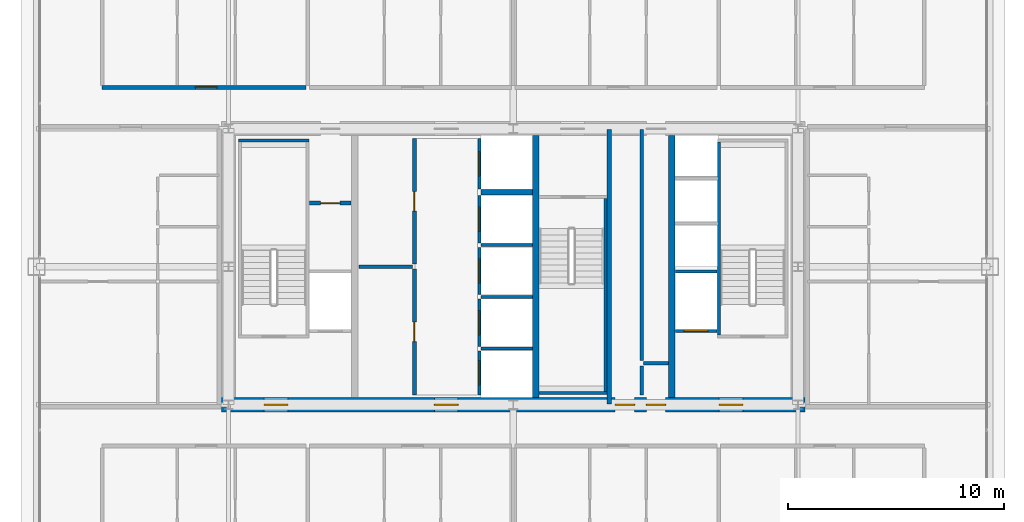
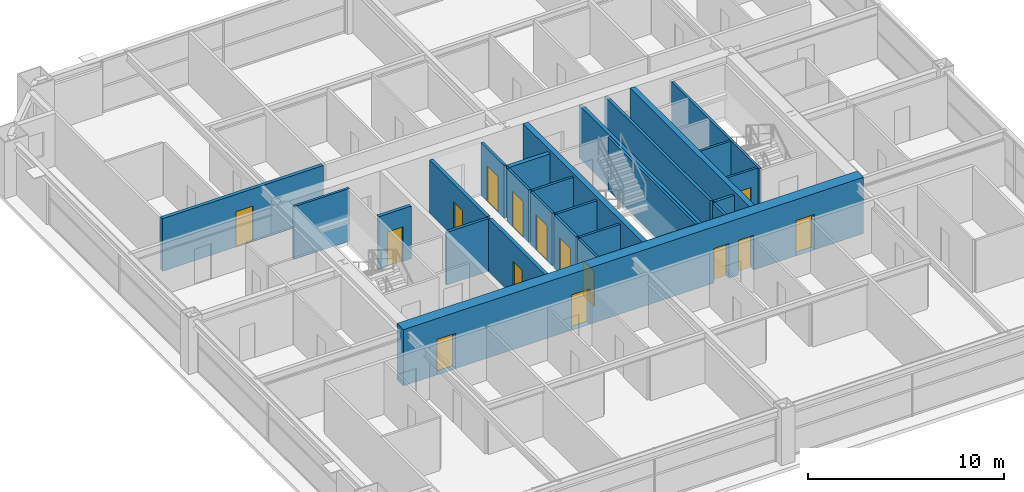
# One storey, part 34 of 38: 27 walls, 15 doors, 15 openings.
"""IFC4 building model written with IfcOpenShell, lengths in metres."""

from ifc_helpers import new_model, si_unit, direction, frame, frame_2d, origin, place, context, subcontext, project, spatial, rectangle, extrude, source, transform, mapped, material, layer, layer_set, type_object, element, fill, save


model = new_model("IFC4")

# Units and contexts
model_context = context("Model", 3, precision=1e-05, world=origin(), true_north=direction((0.0, 1.0)))
body_context = subcontext(model_context, "Body", "Model", "MODEL_VIEW")
ifc_project = project(units=[si_unit("LENGTHUNIT", "METRE"), si_unit("AREAUNIT", "SQUARE_METRE"), si_unit("VOLUMEUNIT", "CUBIC_METRE"), si_unit("PLANEANGLEUNIT", "RADIAN"), si_unit("MASSUNIT", "GRAM", prefix="KILO"), si_unit("THERMODYNAMICTEMPERATUREUNIT", "KELVIN"), si_unit("POWERUNIT", "WATT")], contexts=[model_context])

# Site, building, storey
site_placement = place(None, origin())
site = spatial("IfcSite", under=ifc_project, at=site_placement, CompositionType="ELEMENT")
building_placement = place(site_placement, origin())
building = spatial("IfcBuilding", under=site, at=building_placement, Name="Yuzanri Waterfront Tower", CompositionType="ELEMENT")
storey_placement = place(building_placement, frame((0.0, 0.0, 181.0)))
storey = spatial("IfcBuildingStorey", under=building, at=storey_placement, Name="L47", CompositionType="ELEMENT", Elevation=181.0)

# Wall, openings, doors
ifc_material_1 = material(Name="Concrete C50", Category="concrete")
ifc_layer_1 = layer(ifc_material_1, 0.64990234375)
ifc_layer_set_1 = layer_set([ifc_layer_1], Name="Concrete C50")
wall_type_1 = type_object("IfcWallType", Name="Concrete C50 Mid Zone Core Shear Wall 650", PredefinedType="SHEAR", material=ifc_layer_set_1)
wall_1_placement = place(storey_placement, frame((23.47509765625, 19.39990234375, 0.0), z_axis=(0.0, 0.0, 1.0), x_axis=(1.0, 0.0, 0.0)))
wall_1 = element("IfcWall", 1, at=wall_1_placement, inside=storey, type_object=wall_type_1, Name="L47 Core South Shear Wall", PredefinedType="SHEAR", context=body_context, shape_type="SweptSolid", body=[
    extrude(rectangle(XDim=27.0498046875, YDim=0.64990234375, at=frame_2d((13.52490234375, 0.0))), origin(), (0.0, 0.0, 1.0), 3.5),
])
opening_1_placement = place(wall_1_placement, frame((1.97509765625, 0.0, 0.0)))
opening_1 = element("IfcOpeningElement", 2, at=opening_1_placement, cuts=wall_1, Name="Opening FD-1100", PredefinedType="OPENING", context=body_context, shape_type="SweptSolid", body=[
    extrude(rectangle(XDim=1.10009765625, YDim=2.199951171875, at=frame_2d((0.550048828125, 1.10009765625))), frame((0.0, 0.33984375, 0.0), z_axis=(0.0, -1.0, 0.0), x_axis=(1.0, 0.0, 0.0)), (0.0, 0.0, 1.0), 0.6796875),
])
opening_2_placement = place(wall_1_placement, frame((9.875, 0.0, 0.0)))
opening_2 = element("IfcOpeningElement", 3, at=opening_2_placement, cuts=wall_1, Name="Opening FD-1100", PredefinedType="OPENING", context=body_context, shape_type="SweptSolid", body=[
    extrude(rectangle(XDim=1.10009765625, YDim=2.199951171875, at=frame_2d((0.550048828125, 1.10009765625))), frame((0.0, 0.33984375, 0.0), z_axis=(0.0, -1.0, 0.0), x_axis=(1.0, 0.0, 0.0)), (0.0, 0.0, 1.0), 0.6796875),
])
opening_3_placement = place(wall_1_placement, frame((23.074951171875, 0.0, 0.0)))
opening_3 = element("IfcOpeningElement", 4, at=opening_3_placement, cuts=wall_1, Name="Opening FD-1100", PredefinedType="OPENING", context=body_context, shape_type="SweptSolid", body=[
    extrude(rectangle(XDim=1.10009765625, YDim=2.199951171875, at=frame_2d((0.550048828125, 1.10009765625))), frame((0.0, 0.33984375, 0.0), z_axis=(0.0, -1.0, 0.0), x_axis=(1.0, 0.0, 0.0)), (0.0, 0.0, 1.0), 0.6796875),
])
opening_4_placement = place(wall_1_placement, frame((19.695068359375, 0.0, 0.0)))
opening_4 = element("IfcOpeningElement", 5, at=opening_4_placement, cuts=wall_1, Name="Opening FD-0900", PredefinedType="OPENING", context=body_context, shape_type="SweptSolid", body=[
    extrude(rectangle(XDim=0.89990234375, YDim=2.14990234375, at=frame_2d((0.449951171875, 1.074951171875))), frame((0.0, 0.33984375, 0.0), z_axis=(0.0, -1.0, 0.0), x_axis=(1.0, 0.0, 0.0)), (0.0, 0.0, 1.0), 0.6796875),
])
opening_5_placement = place(wall_1_placement, frame((18.2548828125, 0.0, 0.0)))
opening_5 = element("IfcOpeningElement", 6, at=opening_5_placement, cuts=wall_1, Name="Opening FD-0900", PredefinedType="OPENING", context=body_context, shape_type="SweptSolid", body=[
    extrude(rectangle(XDim=0.89990234375, YDim=2.14990234375, at=frame_2d((0.449951171875, 1.074951171875))), frame((0.0, 0.33984375, 0.0), z_axis=(0.0, -1.0, 0.0), x_axis=(1.0, 0.0, 0.0)), (0.0, 0.0, 1.0), 0.6796875),
])
ifc_material_2 = material(Name="Painted Galvanized Fire Steel", Category="steel")
door_type_1 = type_object("IfcDoorType", Name="Smoke-Proof Stair and Lobby Fire Door 1100x2200", OperationType="NOTDEFINED", PredefinedType="DOOR", material=ifc_material_2)
shared_shape_1 = source(origin(), body_context, "Body", "SweptSolid", [
    extrude(rectangle(XDim=1.10009765625, YDim=2.199951171875, at=frame_2d((0.550048828125, 1.10009765625))), frame((0.0, 0.02490234375, 0.0), z_axis=(0.0, -1.0, 0.0), x_axis=(1.0, 0.0, 0.0)), (0.0, 0.0, 1.0), 0.050048828125),
])
door_1_placement = place(opening_1_placement, origin())
door_1 = element("IfcDoor", 7, at=door_1_placement, inside=storey, type_object=door_type_1, Name="L47 West Firefighting Lobby Door", OperationType="SINGLE_SWING_RIGHT", OverallHeight=2.199951171875, OverallWidth=1.10009765625, PredefinedType="DOOR", context=body_context, shape_type="MappedRepresentation", body=[
    mapped(shared_shape_1, transform((0.0, 0.0, 0.0), scale=1.0)),
])
fill(opening_1, door_1)
door_2_placement = place(opening_2_placement, origin())
door_2 = element("IfcDoor", 8, at=door_2_placement, inside=storey, type_object=door_type_1, Name="L47 Central Lift Lobby South Door", OperationType="SINGLE_SWING_LEFT", OverallHeight=2.199951171875, OverallWidth=1.10009765625, PredefinedType="DOOR", context=body_context, shape_type="MappedRepresentation", body=[
    mapped(shared_shape_1, transform((0.0, 0.0, 0.0), scale=1.0)),
])
fill(opening_2, door_2)
door_3_placement = place(opening_3_placement, origin())
door_3 = element("IfcDoor", 9, at=door_3_placement, inside=storey, type_object=door_type_1, Name="L47 East Firefighting Lobby Door", OperationType="SINGLE_SWING_RIGHT", OverallHeight=2.199951171875, OverallWidth=1.10009765625, PredefinedType="DOOR", context=body_context, shape_type="MappedRepresentation", body=[
    mapped(shared_shape_1, transform((0.0, 0.0, 0.0), scale=1.0)),
])
fill(opening_3, door_3)
ifc_material_3 = material(Name="Painted Galvanized Fire Steel", Category="steel")
door_type_2 = type_object("IfcDoorType", Name="Riser and Service Room Fire Door 900x2150", OperationType="NOTDEFINED", PredefinedType="DOOR", material=ifc_material_3)
shared_shape_2 = source(origin(), body_context, "Body", "SweptSolid", [
    extrude(rectangle(XDim=0.89990234375, YDim=2.14990234375, at=frame_2d((0.449951171875, 1.074951171875))), frame((0.0, 0.02490234375, 0.0), z_axis=(0.0, -1.0, 0.0), x_axis=(1.0, 0.0, 0.0)), (0.0, 0.0, 1.0), 0.050048828125),
])
door_4_placement = place(opening_4_placement, origin())
door_4 = element("IfcDoor", 10, at=door_4_placement, inside=storey, type_object=door_type_2, Name="L47 East Wet Riser Door", OperationType="SINGLE_SWING_LEFT", OverallHeight=2.14990234375, OverallWidth=0.89990234375, PredefinedType="DOOR", context=body_context, shape_type="MappedRepresentation", body=[
    mapped(shared_shape_2, transform((0.0, 0.0, 0.0), scale=1.0)),
])
fill(opening_4, door_4)
door_5_placement = place(opening_5_placement, origin())
door_5 = element("IfcDoor", 11, at=door_5_placement, inside=storey, type_object=door_type_2, Name="L47 Cleaners Store Room", OperationType="SINGLE_SWING_RIGHT", OverallHeight=2.14990234375, OverallWidth=0.89990234375, PredefinedType="DOOR", context=body_context, shape_type="MappedRepresentation", body=[
    mapped(shared_shape_2, transform((0.0, 0.0, 0.0), scale=1.0)),
])
fill(opening_5, door_5)

# Wall, opening, door
ifc_material_4 = material(Name="Concrete C40", Category="concrete")
ifc_layer_2 = layer(ifc_material_4, 0.139892578125)
ifc_layer_set_2 = layer_set([ifc_layer_2], Name="Concrete C40")
wall_type_2 = type_object("IfcWallType", Name="Core Stair Liner and Hoistway Shaft Wall 140", PredefinedType="SOLIDWALL", material=ifc_layer_set_2)
wall_2_placement = place(storey_placement, frame((44.52001953125, 22.830078125, 0.0), z_axis=(0.0, 0.0, 1.0), x_axis=(1.0, 0.0, 0.0)))
wall_2 = element("IfcWall", 12, at=wall_2_placement, inside=storey, type_object=wall_type_2, Name="L47 Lift FL-02 Front Shaft Wall", PredefinedType="SOLIDWALL", context=body_context, shape_type="SweptSolid", body=[
    extrude(rectangle(XDim=1.919921875, YDim=0.139892578125, at=frame_2d((0.9599609375, 0.0))), origin(), (0.0, 0.0, 1.0), 3.280029296875),
])
opening_6_placement = place(wall_2_placement, frame((0.409912109375, 0.0, 0.0)))
opening_6 = element("IfcOpeningElement", 13, at=opening_6_placement, cuts=wall_2, Name="Opening LD-FL-02", PredefinedType="OPENING", context=body_context, shape_type="SweptSolid", body=[
    extrude(rectangle(XDim=1.10009765625, YDim=2.199951171875, at=frame_2d((0.550048828125, 1.10009765625))), frame((0.0, 0.0849609375, 0.0), z_axis=(0.0, -1.0, 0.0), x_axis=(1.0, 0.0, 0.0)), (0.0, 0.0, 1.0), 0.169677734375),
])
ifc_material_5 = material(Name="Brushed Bronze and Stainless Steel Cab", Category="steel")
door_type_3 = type_object("IfcDoorType", Name="Center-Parting Bronze Lift Landing Sliding Door 1100x2200", OperationType="NOTDEFINED", PredefinedType="DOOR", material=ifc_material_5)
shared_shape_3 = source(origin(), body_context, "Body", "SweptSolid", [
    extrude(rectangle(XDim=1.10009765625, YDim=2.199951171875, at=frame_2d((0.550048828125, 1.10009765625))), frame((0.0, 0.02490234375, 0.0), z_axis=(0.0, -1.0, 0.0), x_axis=(1.0, 0.0, 0.0)), (0.0, 0.0, 1.0), 0.050048828125),
])
door_6_placement = place(opening_6_placement, origin())
door_6 = element("IfcDoor", 14, at=door_6_placement, inside=storey, type_object=door_type_3, Name="L47 FL-02 Lift Landing Sliding Door", OperationType="SLIDING_TO_RIGHT", OverallHeight=2.199951171875, OverallWidth=1.10009765625, PredefinedType="DOOR", context=body_context, shape_type="MappedRepresentation", body=[
    mapped(shared_shape_3, transform((0.0, 0.0, 0.0), scale=1.0)),
])
fill(opening_6, door_6)

wall_3_placement = place(storey_placement, frame((35.429931640625, 19.860107421875, 0.0), z_axis=(0.0, 0.0, 1.0), x_axis=(0.0, 1.0, 0.0)))
wall_3 = element("IfcWall", 15, at=wall_3_placement, inside=storey, type_object=wall_type_2, Name="L47 Lift PL-05 Front Shaft Wall", PredefinedType="SOLIDWALL", context=body_context, shape_type="SweptSolid", body=[
    extrude(rectangle(XDim=2.039794921875, YDim=0.139892578125, at=frame_2d((1.02001953125, 0.0))), origin(), (0.0, 0.0, 1.0), 3.280029296875),
])
opening_7_placement = place(wall_3_placement, frame((0.469970703125, 0.0, 0.0)))
opening_7 = element("IfcOpeningElement", 16, at=opening_7_placement, cuts=wall_3, Name="Opening LD-PL-05", PredefinedType="OPENING", context=body_context, shape_type="SweptSolid", body=[
    extrude(rectangle(XDim=1.10009765625, YDim=2.199951171875, at=frame_2d((0.550048828125, 1.10009765625))), frame((0.0, 0.0849609375, 0.0), z_axis=(0.0, -1.0, 0.0), x_axis=(1.0, 0.0, 0.0)), (0.0, 0.0, 1.0), 0.169677734375),
])
door_7_placement = place(opening_7_placement, origin())
door_7 = element("IfcDoor", 17, at=door_7_placement, inside=storey, type_object=door_type_3, Name="L47 PL-05 Lift Landing Sliding Door", OperationType="SLIDING_TO_RIGHT", OverallHeight=2.199951171875, OverallWidth=1.10009765625, PredefinedType="DOOR", context=body_context, shape_type="MappedRepresentation", body=[
    mapped(shared_shape_3, transform((0.0, 0.0, 0.0), scale=1.0)),
])
fill(opening_7, door_7)

wall_4_placement = place(storey_placement, frame((35.429931640625, 22.10009765625, 0.0), z_axis=(0.0, 0.0, 1.0), x_axis=(0.0, 1.0, 0.0)))
wall_4 = element("IfcWall", 18, at=wall_4_placement, inside=storey, type_object=wall_type_2, Name="L47 Lift PL-06 Front Shaft Wall", PredefinedType="SOLIDWALL", context=body_context, shape_type="SweptSolid", body=[
    extrude(rectangle(XDim=2.199951171875, YDim=0.139892578125, at=frame_2d((1.10009765625, 0.0))), origin(), (0.0, 0.0, 1.0), 3.280029296875),
])
opening_8_placement = place(wall_4_placement, frame((0.550048828125, 0.0, 0.0)))
opening_8 = element("IfcOpeningElement", 19, at=opening_8_placement, cuts=wall_4, Name="Opening LD-PL-06", PredefinedType="OPENING", context=body_context, shape_type="SweptSolid", body=[
    extrude(rectangle(XDim=1.10009765625, YDim=2.199951171875, at=frame_2d((0.550048828125, 1.10009765625))), frame((0.0, 0.0849609375, 0.0), z_axis=(0.0, -1.0, 0.0), x_axis=(1.0, 0.0, 0.0)), (0.0, 0.0, 1.0), 0.169677734375),
])
door_8_placement = place(opening_8_placement, origin())
door_8 = element("IfcDoor", 20, at=door_8_placement, inside=storey, type_object=door_type_3, Name="L47 PL-06 Lift Landing Sliding Door", OperationType="SLIDING_TO_LEFT", OverallHeight=2.199951171875, OverallWidth=1.10009765625, PredefinedType="DOOR", context=body_context, shape_type="MappedRepresentation", body=[
    mapped(shared_shape_3, transform((0.0, 0.0, 0.0), scale=1.0)),
])
fill(opening_8, door_8)

wall_5_placement = place(storey_placement, frame((35.429931640625, 24.5, 0.0), z_axis=(0.0, 0.0, 1.0), x_axis=(0.0, 1.0, 0.0)))
wall_5 = element("IfcWall", 21, at=wall_5_placement, inside=storey, type_object=wall_type_2, Name="L47 Lift PL-07 Front Shaft Wall", PredefinedType="SOLIDWALL", context=body_context, shape_type="SweptSolid", body=[
    extrude(rectangle(XDim=2.199951171875, YDim=0.139892578125, at=frame_2d((1.10009765625, 0.0))), origin(), (0.0, 0.0, 1.0), 3.280029296875),
])
opening_9_placement = place(wall_5_placement, frame((0.550048828125, 0.0, 0.0)))
opening_9 = element("IfcOpeningElement", 22, at=opening_9_placement, cuts=wall_5, Name="Opening LD-PL-07", PredefinedType="OPENING", context=body_context, shape_type="SweptSolid", body=[
    extrude(rectangle(XDim=1.10009765625, YDim=2.199951171875, at=frame_2d((0.550048828125, 1.10009765625))), frame((0.0, 0.0849609375, 0.0), z_axis=(0.0, -1.0, 0.0), x_axis=(1.0, 0.0, 0.0)), (0.0, 0.0, 1.0), 0.169677734375),
])
door_9_placement = place(opening_9_placement, origin())
door_9 = element("IfcDoor", 23, at=door_9_placement, inside=storey, type_object=door_type_3, Name="L47 PL-07 Lift Landing Sliding Door", OperationType="SLIDING_TO_RIGHT", OverallHeight=2.199951171875, OverallWidth=1.10009765625, PredefinedType="DOOR", context=body_context, shape_type="MappedRepresentation", body=[
    mapped(shared_shape_3, transform((0.0, 0.0, 0.0), scale=1.0)),
])
fill(opening_9, door_9)

wall_6_placement = place(storey_placement, frame((35.429931640625, 26.89990234375, 0.0), z_axis=(0.0, 0.0, 1.0), x_axis=(0.0, 1.0, 0.0)))
wall_6 = element("IfcWall", 24, at=wall_6_placement, inside=storey, type_object=wall_type_2, Name="L47 Lift PL-08 Front Shaft Wall", PredefinedType="SOLIDWALL", context=body_context, shape_type="SweptSolid", body=[
    extrude(rectangle(XDim=2.2001953125, YDim=0.139892578125, at=frame_2d((1.10009765625, 0.0))), origin(), (0.0, 0.0, 1.0), 3.280029296875),
])
opening_10_placement = place(wall_6_placement, frame((0.550048828125, 0.0, 0.0)))
opening_10 = element("IfcOpeningElement", 25, at=opening_10_placement, cuts=wall_6, Name="Opening LD-PL-08", PredefinedType="OPENING", context=body_context, shape_type="SweptSolid", body=[
    extrude(rectangle(XDim=1.10009765625, YDim=2.199951171875, at=frame_2d((0.550048828125, 1.10009765625))), frame((0.0, 0.0849609375, 0.0), z_axis=(0.0, -1.0, 0.0), x_axis=(1.0, 0.0, 0.0)), (0.0, 0.0, 1.0), 0.169677734375),
])
door_10_placement = place(opening_10_placement, origin())
door_10 = element("IfcDoor", 26, at=door_10_placement, inside=storey, type_object=door_type_3, Name="L47 PL-08 Lift Landing Sliding Door", OperationType="SLIDING_TO_LEFT", OverallHeight=2.199951171875, OverallWidth=1.10009765625, PredefinedType="DOOR", context=body_context, shape_type="MappedRepresentation", body=[
    mapped(shared_shape_3, transform((0.0, 0.0, 0.0), scale=1.0)),
])
fill(opening_10, door_10)

wall_7_placement = place(storey_placement, frame((35.429931640625, 29.39990234375, 0.0), z_axis=(0.0, 0.0, 1.0), x_axis=(0.0, 1.0, 0.0)))
wall_7 = element("IfcWall", 27, at=wall_7_placement, inside=storey, type_object=wall_type_2, Name="L47 Lift SL-02 Front Shaft Wall", PredefinedType="SOLIDWALL", context=body_context, shape_type="SweptSolid", body=[
    extrude(rectangle(XDim=2.340087890625, YDim=0.139892578125, at=frame_2d((1.169921875, 0.0))), origin(), (0.0, 0.0, 1.0), 3.280029296875),
])
opening_11_placement = place(wall_7_placement, frame((0.6201171875, 0.0, 0.0)))
opening_11 = element("IfcOpeningElement", 28, at=opening_11_placement, cuts=wall_7, Name="Opening LD-SL-02", PredefinedType="OPENING", context=body_context, shape_type="SweptSolid", body=[
    extrude(rectangle(XDim=1.10009765625, YDim=2.199951171875, at=frame_2d((0.550048828125, 1.10009765625))), frame((0.0, 0.0849609375, 0.0), z_axis=(0.0, -1.0, 0.0), x_axis=(1.0, 0.0, 0.0)), (0.0, 0.0, 1.0), 0.169677734375),
])
door_11_placement = place(opening_11_placement, origin())
door_11 = element("IfcDoor", 29, at=door_11_placement, inside=storey, type_object=door_type_3, Name="L47 SL-02 Lift Landing Sliding Door", OperationType="SLIDING_TO_RIGHT", OverallHeight=2.199951171875, OverallWidth=1.10009765625, PredefinedType="DOOR", context=body_context, shape_type="MappedRepresentation", body=[
    mapped(shared_shape_3, transform((0.0, 0.0, 0.0), scale=1.0)),
])
fill(opening_11, door_11)

ifc_material_6 = material(Name="Autoclaved Aerated Concrete Blockwork", Category="masonry")
ifc_layer_3 = layer(ifc_material_6, 0.199951171875)
ifc_layer_set_3 = layer_set([ifc_layer_3], Name="Autoclaved Aerated Concrete Blockwork")
wall_type_3 = type_object("IfcWallType", Name="Corridor and Unit Party Fire Wall 200", PredefinedType="PARTITIONING", material=ifc_layer_set_3)
wall_8_placement = place(storey_placement, frame((27.56005859375, 28.75, 0.0), z_axis=(0.0, 0.0, 1.0), x_axis=(1.0, 0.0, 0.0)))
wall_8 = element("IfcWall", 30, at=wall_8_placement, inside=storey, type_object=wall_type_3, Name="L47 Partition CRW-L47-ERTR", PredefinedType="PARTITIONING", context=body_context, shape_type="SweptSolid", body=[
    extrude(rectangle(XDim=1.919921875, YDim=0.199951171875, at=frame_2d((0.9599609375, 0.0))), origin(), (0.0, 0.0, 1.0), 3.280029296875),
])
opening_12_placement = place(wall_8_placement, frame((0.510009765625, 0.0, 0.0)))
opening_12 = element("IfcOpeningElement", 31, at=opening_12_placement, cuts=wall_8, Name="Opening FD-0900", PredefinedType="OPENING", context=body_context, shape_type="SweptSolid", body=[
    extrude(rectangle(XDim=0.89990234375, YDim=2.14990234375, at=frame_2d((0.449951171875, 1.074951171875))), frame((0.0, 0.11474609375, 0.0), z_axis=(0.0, -1.0, 0.0), x_axis=(1.0, 0.0, 0.0)), (0.0, 0.0, 1.0), 0.229736328125),
])
door_12_placement = place(opening_12_placement, origin())
door_12 = element("IfcDoor", 32, at=door_12_placement, inside=storey, type_object=door_type_2, Name="L47 Electrical Riser Door", OperationType="SINGLE_SWING_RIGHT", OverallHeight=2.14990234375, OverallWidth=0.89990234375, PredefinedType="DOOR", context=body_context, shape_type="MappedRepresentation", body=[
    mapped(shared_shape_2, transform((0.0, 0.0, 0.0), scale=1.0)),
])
fill(opening_12, door_12)

wall_9_placement = place(storey_placement, frame((32.419921875, 19.860107421875, 0.0), z_axis=(0.0, 0.0, 1.0), x_axis=(0.0, 1.0, 0.0)))
wall_9 = element("IfcWall", 33, at=wall_9_placement, inside=storey, type_object=wall_type_3, Name="L47 Partition CRW-L47-B1R-1", PredefinedType="PARTITIONING", context=body_context, shape_type="SweptSolid", body=[
    extrude(rectangle(XDim=5.83984375, YDim=0.199951171875, at=frame_2d((2.919921875, 0.0))), origin(), (0.0, 0.0, 1.0), 3.280029296875),
])
opening_13_placement = place(wall_9_placement, frame((2.469970703125, 0.0, 0.0)))
opening_13 = element("IfcOpeningElement", 34, at=opening_13_placement, cuts=wall_9, Name="Opening FD-0900", PredefinedType="OPENING", context=body_context, shape_type="SweptSolid", body=[
    extrude(rectangle(XDim=0.89990234375, YDim=2.14990234375, at=frame_2d((0.449951171875, 1.074951171875))), frame((0.0, 0.11474609375, 0.0), z_axis=(0.0, -1.0, 0.0), x_axis=(1.0, 0.0, 0.0)), (0.0, 0.0, 1.0), 0.229736328125),
])
door_13_placement = place(opening_13_placement, origin())
door_13 = element("IfcDoor", 35, at=door_13_placement, inside=storey, type_object=door_type_2, Name="L47 South Private Store Room", OperationType="SINGLE_SWING_LEFT", OverallHeight=2.14990234375, OverallWidth=0.89990234375, PredefinedType="DOOR", context=body_context, shape_type="MappedRepresentation", body=[
    mapped(shared_shape_2, transform((0.0, 0.0, 0.0), scale=1.0)),
])
fill(opening_13, door_13)

wall_10_placement = place(storey_placement, frame((32.419921875, 25.919921875, 0.0), z_axis=(0.0, 0.0, 1.0), x_axis=(0.0, 1.0, 0.0)))
wall_10 = element("IfcWall", 36, at=wall_10_placement, inside=storey, type_object=wall_type_3, Name="L47 Partition CRW-L47-B1R-2", PredefinedType="PARTITIONING", context=body_context, shape_type="SweptSolid", body=[
    extrude(rectangle(XDim=5.820068359375, YDim=0.199951171875, at=frame_2d((2.91015625, 0.0))), origin(), (0.0, 0.0, 1.0), 3.280029296875),
])
opening_14_placement = place(wall_10_placement, frame((2.4599609375, 0.0, 0.0)))
opening_14 = element("IfcOpeningElement", 37, at=opening_14_placement, cuts=wall_10, Name="Opening FD-0900", PredefinedType="OPENING", context=body_context, shape_type="SweptSolid", body=[
    extrude(rectangle(XDim=0.89990234375, YDim=2.14990234375, at=frame_2d((0.449951171875, 1.074951171875))), frame((0.0, 0.11474609375, 0.0), z_axis=(0.0, -1.0, 0.0), x_axis=(1.0, 0.0, 0.0)), (0.0, 0.0, 1.0), 0.229736328125),
])
door_14_placement = place(opening_14_placement, origin())
door_14 = element("IfcDoor", 38, at=door_14_placement, inside=storey, type_object=door_type_2, Name="L47 North Private Store Room", OperationType="SINGLE_SWING_RIGHT", OverallHeight=2.14990234375, OverallWidth=0.89990234375, PredefinedType="DOOR", context=body_context, shape_type="MappedRepresentation", body=[
    mapped(shared_shape_2, transform((0.0, 0.0, 0.0), scale=1.0)),
])
fill(opening_14, door_14)

wall_11_placement = place(storey_placement, frame((17.93994140625, 34.110107421875, 0.0), z_axis=(0.0, 0.0, 1.0), x_axis=(1.0, 0.0, 0.0)))
wall_11 = element("IfcWall", 39, at=wall_11_placement, inside=storey, type_object=wall_type_3, Name="L47 Partition UW-L47-RN1-CS", PredefinedType="PARTITIONING", context=body_context, shape_type="SweptSolid", body=[
    extrude(rectangle(XDim=9.449951171875, YDim=0.199951171875, at=frame_2d((4.72509765625, 0.0))), origin(), (0.0, 0.0, 1.0), 3.280029296875),
])
opening_15_placement = place(wall_11_placement, frame((4.324951171875, 0.0, 0.0)))
opening_15 = element("IfcOpeningElement", 40, at=opening_15_placement, cuts=wall_11, Name="Opening FD-1000", PredefinedType="OPENING", context=body_context, shape_type="SweptSolid", body=[
    extrude(rectangle(XDim=1.0, YDim=2.199951171875, at=frame_2d((0.5, 1.10009765625))), frame((0.0, 0.11474609375, 0.0), z_axis=(0.0, -1.0, 0.0), x_axis=(1.0, 0.0, 0.0)), (0.0, 0.0, 1.0), 0.229736328125),
])
ifc_material_7 = material(Name="Engineered Oak Fire-Rated Timber", Category="wood")
door_type_4 = type_object("IfcDoorType", Name="Guestroom and Apartment Entrance Fire Door 1000x2200", OperationType="NOTDEFINED", PredefinedType="DOOR", material=ifc_material_7)
shared_shape_4 = source(origin(), body_context, "Body", "SweptSolid", [
    extrude(rectangle(XDim=1.0, YDim=2.199951171875, at=frame_2d((0.5, 1.10009765625))), frame((0.0, 0.02490234375, 0.0), z_axis=(0.0, -1.0, 0.0), x_axis=(1.0, 0.0, 0.0)), (0.0, 0.0, 1.0), 0.050048828125),
])
door_15_placement = place(opening_15_placement, origin())
door_15 = element("IfcDoor", 41, at=door_15_placement, inside=storey, type_object=door_type_4, Name="L47 Studio Living and Sleeping Room Entrance Door", OperationType="SINGLE_SWING_RIGHT", OverallHeight=2.199951171875, OverallWidth=1.0, PredefinedType="DOOR", context=body_context, shape_type="MappedRepresentation", body=[
    mapped(shared_shape_4, transform((0.0, 0.0, 0.0), scale=1.0)),
])
fill(opening_15, door_15)

# Walls
ifc_material_8 = material(Name="Concrete C50", Category="concrete")
ifc_layer_4 = layer(ifc_material_8, 0.300048828125)
ifc_layer_set_4 = layer_set([ifc_layer_4], Name="Concrete C50")
wall_type_4 = type_object("IfcWallType", Name="Concrete C50 Internal Core Shaft Structural Wall 300", PredefinedType="SOLIDWALL", material=ifc_layer_set_4)
shared_shape_5 = source(origin(), body_context, "Body", "SweptSolid", [
    extrude(rectangle(XDim=12.14990234375, YDim=0.300048828125, at=frame_2d((6.074951171875, 0.0))), origin(), (0.0, 0.0, 1.0), 3.5),
])
for number, where, z_axis, x_axis, name in (
    (42, (38.050048828125, 19.72509765625, 0.0), (0.0, 0.0, 1.0), (0.0, 1.0, 0.0), "L47 Core Internal Structural Web Wall 2"),
    (43, (44.35009765625, 19.72509765625, 0.0), (0.0, 0.0, 1.0), (0.0, 1.0, 0.0), "L47 Core Internal Structural Web Wall 3"),
):
    element("IfcWall", number, at=place(storey_placement, frame(where, z_axis=z_axis, x_axis=x_axis)), inside=storey, type_object=wall_type_4, Name=name, PredefinedType="SOLIDWALL", context=body_context, shape_type="MappedRepresentation", body=[
        mapped(shared_shape_5, transform((0.0, 0.0, 0.0), scale=1.0)),
    ])
shared_shape_6 = source(origin(), body_context, "Body", "SweptSolid", [
    extrude(rectangle(XDim=1.919921875, YDim=0.139892578125, at=frame_2d((0.9599609375, 0.0))), origin(), (0.0, 0.0, 1.0), 3.280029296875),
])
wall_12_placement = place(storey_placement, frame((44.52001953125, 25.570068359375, 0.0), z_axis=(0.0, 0.0, 1.0), x_axis=(1.0, 0.0, 0.0)))
element("IfcWall", 44, at=wall_12_placement, inside=storey, type_object=wall_type_2, Name="L47 Lift FL-02 Back Shaft Wall", PredefinedType="SOLIDWALL", context=body_context, shape_type="MappedRepresentation", body=[
    mapped(shared_shape_6, transform((0.0, 0.0, 0.0), scale=1.0)),
])
shared_shape_7 = source(origin(), body_context, "Body", "SweptSolid", [
    extrude(rectangle(XDim=2.39990234375, YDim=0.139892578125, at=frame_2d((1.199951171875, 0.0))), origin(), (0.0, 0.0, 1.0), 3.280029296875),
])
for number, where, z_axis, x_axis, name in (
    (45, (35.5, 22.0, 0.0), (0.0, 0.0, 1.0), (1.0, 0.0, 0.0), "L47 Lift PL-05 Divider Wall"),
    (46, (35.5, 24.39990234375, 0.0), (0.0, 0.0, 1.0), (1.0, 0.0, 0.0), "L47 Lift PL-06 Divider Wall"),
    (47, (35.5, 26.800048828125, 0.0), (0.0, 0.0, 1.0), (1.0, 0.0, 0.0), "L47 Lift PL-07 Divider Wall"),
):
    element("IfcWall", number, at=place(storey_placement, frame(where, z_axis=z_axis, x_axis=x_axis)), inside=storey, type_object=wall_type_2, Name=name, PredefinedType="SOLIDWALL", context=body_context, shape_type="MappedRepresentation", body=[
        mapped(shared_shape_7, transform((0.0, 0.0, 0.0), scale=1.0)),
    ])
ifc_material_9 = material(Name="Concrete C40", Category="concrete")
ifc_layer_5 = layer(ifc_material_9, 0.25)
ifc_layer_set_5 = layer_set([ifc_layer_5], Name="Concrete C40")
wall_type_5 = type_object("IfcWallType", Name="Smoke-Proof Stair and Lift Shaft Wall 250", PredefinedType="SOLIDWALL", material=ifc_layer_set_5)
shared_shape_8 = source(origin(), body_context, "Body", "SweptSolid", [
    extrude(rectangle(XDim=2.39990234375, YDim=0.25, at=frame_2d((1.199951171875, 0.0))), origin(), (0.0, 0.0, 1.0), 3.280029296875),
])
wall_13_placement = place(storey_placement, frame((35.5, 29.25, 0.0), z_axis=(0.0, 0.0, 1.0), x_axis=(1.0, 0.0, 0.0)))
element("IfcWall", 48, at=wall_13_placement, inside=storey, type_object=wall_type_5, Name="L47 Lift SL-02 South Shaft Wall", PredefinedType="SOLIDWALL", context=body_context, shape_type="MappedRepresentation", body=[
    mapped(shared_shape_8, transform((0.0, 0.0, 0.0), scale=1.0)),
])
shared_shape_9 = source(origin(), body_context, "Body", "SweptSolid", [
    extrude(rectangle(XDim=3.280029296875, YDim=0.139892578125, at=frame_2d((1.64013671875, 0.0))), origin(), (0.0, 0.0, 1.0), 3.280029296875),
])
wall_14_placement = place(storey_placement, frame((24.260009765625, 31.64990234375, 0.0), z_axis=(0.0, 0.0, 1.0), x_axis=(1.0, 0.0, 0.0)))
element("IfcWall", 49, at=wall_14_placement, inside=storey, type_object=wall_type_2, Name="L47 Stair ST-01 North Shaft Wall", PredefinedType="SOLIDWALL", context=body_context, shape_type="MappedRepresentation", body=[
    mapped(shared_shape_9, transform((0.0, 0.0, 0.0), scale=1.0)),
])
shared_shape_10 = source(origin(), body_context, "Body", "SweptSolid", [
    extrude(rectangle(XDim=8.940185546875, YDim=0.139892578125, at=frame_2d((4.47021484375, 0.0))), origin(), (0.0, 0.0, 1.0), 3.280029296875),
])
wall_15_placement = place(storey_placement, frame((46.530029296875, 22.639892578125, 0.0), z_axis=(0.0, 0.0, 1.0), x_axis=(0.0, 1.0, 0.0)))
element("IfcWall", 50, at=wall_15_placement, inside=storey, type_object=wall_type_2, Name="L47 Stair ST-02 West Shaft Wall", PredefinedType="SOLIDWALL", context=body_context, shape_type="MappedRepresentation", body=[
    mapped(shared_shape_10, transform((0.0, 0.0, 0.0), scale=1.0)),
])
shared_shape_11 = source(origin(), body_context, "Body", "SweptSolid", [
    extrude(rectangle(XDim=3.14013671875, YDim=0.139892578125, at=frame_2d((1.570068359375, 0.0))), origin(), (0.0, 0.0, 1.0), 3.280029296875),
])
wall_16_placement = place(storey_placement, frame((38.199951171875, 19.949951171875, 0.0), z_axis=(0.0, 0.0, 1.0), x_axis=(1.0, 0.0, 0.0)))
element("IfcWall", 51, at=wall_16_placement, inside=storey, type_object=wall_type_2, Name="L47 Stair ST-03 South Shaft Wall", PredefinedType="SOLIDWALL", context=body_context, shape_type="MappedRepresentation", body=[
    mapped(shared_shape_11, transform((0.0, 0.0, 0.0), scale=1.0)),
])
shared_shape_12 = source(origin(), body_context, "Body", "SweptSolid", [
    extrude(rectangle(XDim=8.93994140625, YDim=0.139892578125, at=frame_2d((4.469970703125, 0.0))), origin(), (0.0, 0.0, 1.0), 3.280029296875),
])
wall_17_placement = place(storey_placement, frame((41.27001953125, 20.02001953125, 0.0), z_axis=(0.0, 0.0, 1.0), x_axis=(0.0, 1.0, 0.0)))
element("IfcWall", 52, at=wall_17_placement, inside=storey, type_object=wall_type_2, Name="L47 Stair ST-03 East Shaft Wall", PredefinedType="SOLIDWALL", context=body_context, shape_type="MappedRepresentation", body=[
    mapped(shared_shape_12, transform((0.0, 0.0, 0.0), scale=1.0)),
])
ifc_material_10 = material(Name="Gypsum Fireboard Acoustic Stud Wall", Category="gypsum")
ifc_layer_6 = layer(ifc_material_10, 0.159912109375)
ifc_layer_set_6 = layer_set([ifc_layer_6], Name="Gypsum Fireboard Acoustic Stud Wall")
wall_type_6 = type_object("IfcWallType", Name="Acoustic Suite Demising Partition 160", PredefinedType="PARTITIONING", material=ifc_layer_set_6)
shared_shape_13 = source(origin(), body_context, "Body", "SweptSolid", [
    extrude(rectangle(XDim=2.469970703125, YDim=0.159912109375, at=frame_2d((1.23486328125, 0.0))), origin(), (0.0, 0.0, 1.0), 3.280029296875),
])
wall_18_placement = place(storey_placement, frame((29.85009765625, 25.800048828125, 0.0), z_axis=(0.0, 0.0, 1.0), x_axis=(1.0, 0.0, 0.0)))
element("IfcWall", 53, at=wall_18_placement, inside=storey, type_object=wall_type_6, Name="L47 Reclaimed Core Divider 2", PredefinedType="PARTITIONING", context=body_context, shape_type="MappedRepresentation", body=[
    mapped(shared_shape_13, transform((0.0, 0.0, 0.0), scale=1.0)),
])
shared_shape_14 = source(origin(), body_context, "Body", "SweptSolid", [
    extrude(rectangle(XDim=1.33984375, YDim=0.159912109375, at=frame_2d((0.669921875, 0.0))), origin(), (0.0, 0.0, 1.0), 3.280029296875),
])
wall_19_placement = place(storey_placement, frame((42.949951171875, 19.860107421875, 0.0), z_axis=(0.0, 0.0, 1.0), x_axis=(0.0, 1.0, 0.0)))
element("IfcWall", 54, at=wall_19_placement, inside=storey, type_object=wall_type_6, Name="L47 East Wet Riser West Wall", PredefinedType="PARTITIONING", context=body_context, shape_type="MappedRepresentation", body=[
    mapped(shared_shape_14, transform((0.0, 0.0, 0.0), scale=1.0)),
])
shared_shape_15 = source(origin(), body_context, "Body", "SweptSolid", [
    extrude(rectangle(XDim=1.169921875, YDim=0.159912109375, at=frame_2d((0.5849609375, 0.0))), origin(), (0.0, 0.0, 1.0), 3.280029296875),
])
wall_20_placement = place(storey_placement, frame((43.030029296875, 21.320068359375, 0.0), z_axis=(0.0, 0.0, 1.0), x_axis=(1.0, 0.0, 0.0)))
element("IfcWall", 55, at=wall_20_placement, inside=storey, type_object=wall_type_6, Name="L47 East Wet Riser North Wall", PredefinedType="PARTITIONING", context=body_context, shape_type="MappedRepresentation", body=[
    mapped(shared_shape_15, transform((0.0, 0.0, 0.0), scale=1.0)),
])
shared_shape_16 = source(origin(), body_context, "Body", "SweptSolid", [
    extrude(rectangle(XDim=12.719970703125, YDim=0.199951171875, at=frame_2d((6.35986328125, 0.0))), origin(), (0.0, 0.0, 1.0), 3.280029296875),
])
wall_21_placement = place(storey_placement, frame((41.449951171875, 19.43994140625, 0.0), z_axis=(0.0, 0.0, 1.0), x_axis=(0.0, 1.0, 0.0)))
element("IfcWall", 56, at=wall_21_placement, inside=storey, type_object=wall_type_3, Name="L47 Core BOH West Wall 1", PredefinedType="PARTITIONING", context=body_context, shape_type="MappedRepresentation", body=[
    mapped(shared_shape_16, transform((0.0, 0.0, 0.0), scale=1.0)),
])
shared_shape_17 = source(origin(), body_context, "Body", "SweptSolid", [
    extrude(rectangle(XDim=10.719970703125, YDim=0.159912109375, at=frame_2d((5.35986328125, 0.0))), origin(), (0.0, 0.0, 1.0), 3.280029296875),
])
wall_22_placement = place(storey_placement, frame((42.949951171875, 21.43994140625, 0.0), z_axis=(0.0, 0.0, 1.0), x_axis=(0.0, 1.0, 0.0)))
element("IfcWall", 57, at=wall_22_placement, inside=storey, type_object=wall_type_6, Name="L47 Core BOH Mid Wall 2", PredefinedType="PARTITIONING", context=body_context, shape_type="MappedRepresentation", body=[
    mapped(shared_shape_17, transform((0.0, 0.0, 0.0), scale=1.0)),
])

save(model, "model.ifc")
